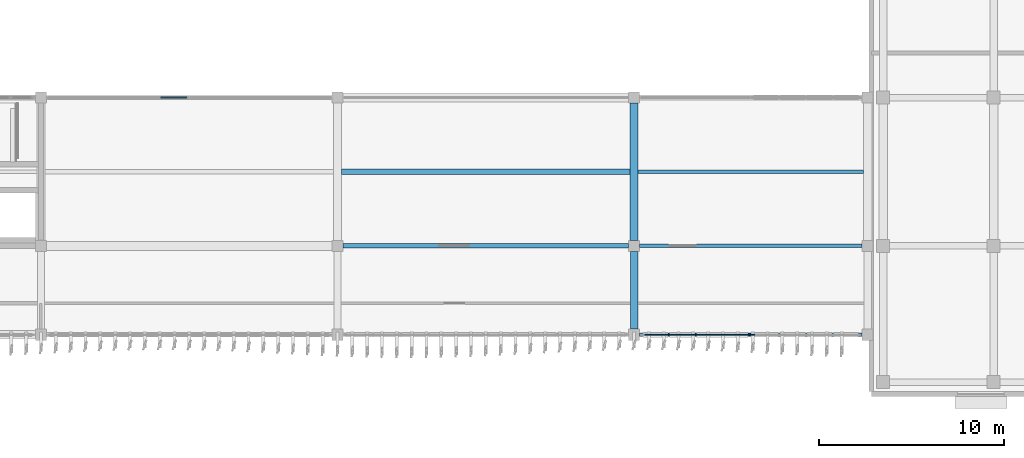
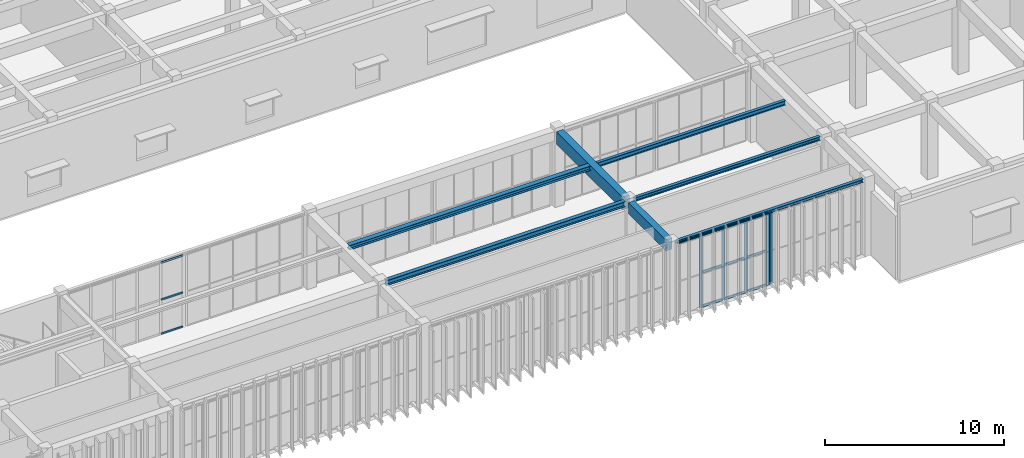
# One storey, part 17 of 64: 18 members, 7 beams, 3 elements without a shape of their own.
"""IFC4 building model written with IfcOpenShell, lengths in metres."""

from ifc_helpers import new_model, si_unit, direction, frame, origin, origin_2d, place, context, subcontext, project, spatial, rectangle, i_section, extrude, material, layer, layer_set, material_profile, profile_set, type_object, element, aggregate, save


model = new_model("IFC4")

# Units and contexts
model_context = context("Model", 3, precision=1e-05, world=origin(), true_north=direction((0.0, 1.0)))
body_context = subcontext(model_context, "Body", "Model", "MODEL_VIEW")
ifc_project = project(units=[si_unit("LENGTHUNIT", "METRE"), si_unit("AREAUNIT", "SQUARE_METRE"), si_unit("VOLUMEUNIT", "CUBIC_METRE"), si_unit("PLANEANGLEUNIT", "RADIAN"), si_unit("MASSUNIT", "GRAM", prefix="KILO")], contexts=[model_context])

# Site, building, storey
site_placement = place(None, origin())
site = spatial("IfcSite", under=ifc_project, at=site_placement, CompositionType="ELEMENT")
building_placement = place(site_placement, origin())
building = spatial("IfcBuilding", under=site, at=building_placement, Name="Cinchona Park Media Centre", CompositionType="ELEMENT")
storey_placement = place(building_placement, frame((0.0, 0.0, 10.199951171875)))
storey = spatial("IfcBuildingStorey", under=building, at=storey_placement, Name="L02", CompositionType="ELEMENT", Elevation=10.199951171875)

# Beams
ifc_material_1 = material(Name="Concrete C35/45", Category="concrete")
ifc_material_profile_1 = material_profile(ifc_material_1, rectangle(XDim=0.39990234375, YDim=0.75, at=origin_2d()), Name="RB 400X750")
ifc_profile_set_1 = profile_set([ifc_material_profile_1], Name="Concrete C35/45")
beam_type_1 = type_object("IfcBeamType", Name="BEAM-B01-RB400X750", PredefinedType="BEAM", material=ifc_profile_set_1)
beam_1_placement = place(storey_placement, frame((126.800048828125, 75.10009765625, 4.78515625), z_axis=(0.0, 1.0, 0.0), x_axis=(-1.0, 0.0, 0.0)))
element("IfcBeam", 1, at=beam_1_placement, inside=storey, type_object=beam_type_1, Name="Girder B01 L02", PredefinedType="BEAM", context=body_context, shape_type="SweptSolid", body=[
    extrude(rectangle(XDim=0.39990234375, YDim=0.75, at=origin_2d()), origin(), (0.0, 0.0, 1.0), 4.199951171875),
])
ifc_material_2 = material(Name="Concrete C35/45", Category="concrete")
ifc_material_profile_2 = material_profile(ifc_material_2, rectangle(XDim=0.449951171875, YDim=0.85009765625, at=origin_2d()), Name="RB 450X850")
ifc_profile_set_2 = profile_set([ifc_material_profile_2], Name="Concrete C35/45")
beam_type_2 = type_object("IfcBeamType", Name="BEAM-B02-RB450X850", PredefinedType="BEAM", material=ifc_profile_set_2)
beam_2_placement = place(storey_placement, frame((126.800048828125, 79.89990234375, 4.735107421875), z_axis=(0.0, 1.0, 0.0), x_axis=(-1.0, 0.0, 0.0)))
element("IfcBeam", 2, at=beam_2_placement, inside=storey, type_object=beam_type_2, Name="Girder B02 L02", PredefinedType="BEAM", context=body_context, shape_type="SweptSolid", body=[
    extrude(rectangle(XDim=0.449951171875, YDim=0.85009765625, at=origin_2d()), origin(), (0.0, 0.0, 1.0), 7.400146484375),
])
ifc_material_3 = material(Name="Steel S355", Category="steel")
ifc_material_profile_3 = material_profile(ifc_material_3, i_section(OverallWidth=0.257080078125, OverallDepth=0.363037109375, WebThickness=0.012939453125, FlangeThickness=0.021728515625, at=origin_2d()), Name="W360X122")
ifc_profile_set_3 = profile_set([ifc_material_profile_3], Name="Steel S355")
beam_type_3 = type_object("IfcBeamType", Name="BEAM-B08-W360X122", PredefinedType="BEAM", material=ifc_profile_set_3)
beam_3_placement = place(storey_placement, frame((111.10009765625, 79.60009765625, 4.978515625), z_axis=(1.0, 0.0, 0.0), x_axis=(0.0, 1.0, 0.0)))
element("IfcBeam", 3, at=beam_3_placement, inside=storey, type_object=beam_type_3, Name="Beam B08 L02", PredefinedType="BEAM", context=body_context, shape_type="SweptSolid", body=[
    extrude(i_section(OverallWidth=0.257080078125, OverallDepth=0.363037109375, WebThickness=0.012939453125, FlangeThickness=0.021728515625, at=origin_2d()), origin(), (0.0, 0.0, 1.0), 15.39990234375),
])
ifc_material_4 = material(Name="Steel S355", Category="steel")
ifc_material_profile_4 = material_profile(ifc_material_4, i_section(OverallWidth=0.202880859375, OverallDepth=0.251953125, WebThickness=0.008056640625, FlangeThickness=0.013427734375, at=origin_2d()), Name="W250X58")
ifc_profile_set_4 = profile_set([ifc_material_profile_4], Name="Steel S355")
beam_type_4 = type_object("IfcBeamType", Name="BEAM-B09-W250X58", PredefinedType="BEAM", material=ifc_profile_set_4)
beam_4_placement = place(storey_placement, frame((127.10009765625, 79.60009765625, 5.033935546875), z_axis=(1.0, 0.0, 0.0), x_axis=(0.0, 1.0, 0.0)))
element("IfcBeam", 4, at=beam_4_placement, inside=storey, type_object=beam_type_4, Name="Beam B09 L02", PredefinedType="BEAM", context=body_context, shape_type="SweptSolid", body=[
    extrude(i_section(OverallWidth=0.202880859375, OverallDepth=0.251953125, WebThickness=0.008056640625, FlangeThickness=0.013427734375, at=origin_2d()), origin(), (0.0, 0.0, 1.0), 12.0),
])
ifc_material_5 = material(Name="Steel S355", Category="steel")
ifc_material_profile_5 = material_profile(ifc_material_5, i_section(OverallWidth=0.202880859375, OverallDepth=0.202880859375, WebThickness=0.007080078125, FlangeThickness=0.010986328125, at=origin_2d()), Name="W200X46")
ifc_profile_set_5 = profile_set([ifc_material_profile_5], Name="Steel S355")
beam_type_5 = type_object("IfcBeamType", Name="BEAM-B10-W200X46", PredefinedType="BEAM", material=ifc_profile_set_5)
beam_5_placement = place(storey_placement, frame((127.10009765625, 74.800048828125, 5.05859375), z_axis=(1.0, 0.0, 0.0), x_axis=(0.0, 1.0, 0.0)))
element("IfcBeam", 5, at=beam_5_placement, inside=storey, type_object=beam_type_5, Name="Beam B10 L02", PredefinedType="BEAM", context=body_context, shape_type="SweptSolid", body=[
    extrude(i_section(OverallWidth=0.202880859375, OverallDepth=0.202880859375, WebThickness=0.007080078125, FlangeThickness=0.010986328125, at=origin_2d()), origin(), (0.0, 0.0, 1.0), 12.0),
])
ifc_material_6 = material(Name="Steel S355", Category="steel")
ifc_material_profile_6 = material_profile(ifc_material_6, i_section(OverallWidth=0.304931640625, OverallDepth=0.30810546875, WebThickness=0.010009765625, FlangeThickness=0.015380859375, at=origin_2d()), Name="W310X97")
ifc_profile_set_6 = profile_set([ifc_material_profile_6], Name="Steel S355")
beam_type_6 = type_object("IfcBeamType", Name="BEAM-J02-W310X97", PredefinedType="JOIST", material=ifc_profile_set_6)
beam_6_placement = place(storey_placement, frame((111.02490234375, 83.60009765625, 5.006103515625), z_axis=(1.0, 0.0, 0.0), x_axis=(0.0, 1.0, 0.0)))
element("IfcBeam", 6, at=beam_6_placement, inside=storey, type_object=beam_type_6, Name="Floor Joist J02 L02", PredefinedType="JOIST", context=body_context, shape_type="SweptSolid", body=[
    extrude(i_section(OverallWidth=0.304931640625, OverallDepth=0.30810546875, WebThickness=0.010009765625, FlangeThickness=0.015380859375, at=origin_2d()), origin(), (0.0, 0.0, 1.0), 15.550048828125),
])
ifc_material_7 = material(Name="Steel S355", Category="steel")
ifc_material_profile_7 = material_profile(ifc_material_7, i_section(OverallWidth=0.202880859375, OverallDepth=0.302978515625, WebThickness=0.007568359375, FlangeThickness=0.01318359375, at=origin_2d()), Name="W310X60")
ifc_profile_set_7 = profile_set([ifc_material_profile_7], Name="Steel S355")
beam_type_7 = type_object("IfcBeamType", Name="BEAM-J03-W310X60", PredefinedType="JOIST", material=ifc_profile_set_7)
beam_7_placement = place(storey_placement, frame((127.02490234375, 83.60009765625, 5.008544921875), z_axis=(1.0, 0.0, 0.0), x_axis=(0.0, 1.0, 0.0)))
element("IfcBeam", 7, at=beam_7_placement, inside=storey, type_object=beam_type_7, Name="Floor Joist J03 L02", PredefinedType="JOIST", context=body_context, shape_type="SweptSolid", body=[
    extrude(i_section(OverallWidth=0.202880859375, OverallDepth=0.302978515625, WebThickness=0.007568359375, FlangeThickness=0.01318359375, at=origin_2d()), origin(), (0.0, 0.0, 1.0), 12.150146484375),
])

# Curtain wall, member
ifc_material_8 = material(Name="Aluminium Curtain Wall Framing", Category="aluminium")
ifc_layer_1 = layer(ifc_material_8, 0.2548828125)
ifc_layer_set_1 = layer_set([ifc_layer_1], Name="Aluminium Curtain Wall Framing")
curtain_wall_type_1 = type_object("IfcCurtainWallType", Name="CW-CW06", PredefinedType="USERDEFINED", material=ifc_layer_set_1)
curtain_wall_1_placement = place(storey_placement, origin())
curtain_wall_1 = element("IfcCurtainWall", 8, at=curtain_wall_1_placement, inside=storey, type_object=curtain_wall_type_1, Name="Curtain Wall CW06 L02", ObjectType="UNITISED CURTAIN WALL", PredefinedType="USERDEFINED")
ifc_material_9 = material(Name="Anodised Aluminium Alloy 6063-T6", Category="aluminium")
ifc_material_profile_8 = material_profile(ifc_material_9, rectangle(XDim=0.074951171875, YDim=0.2099609375, at=origin_2d()), Name="MUL-75X210")
ifc_profile_set_8 = profile_set([ifc_material_profile_8], Name="Anodised Aluminium Alloy 6063-T6")
member_type_1 = type_object("IfcMemberType", Name="MULLION-MUL03", PredefinedType="MULLION", material=ifc_profile_set_8)
member_1_placement = place(storey_placement, frame((133.217529296875, 74.800048828125, 0.050048828125), z_axis=(0.0, 0.0, 1.0), x_axis=(0.0, -1.0, 0.0)))
member_1 = element("IfcMember", 9, at=member_1_placement, type_object=member_type_1, Name="CW06 mullion 5", PredefinedType="MULLION", context=body_context, shape_type="SweptSolid", body=[
    extrude(rectangle(XDim=0.074951171875, YDim=0.2099609375, at=origin_2d()), origin(), (0.0, 0.0, 1.0), 4.906982421875),
])
aggregate(curtain_wall_1, [member_1])

# Curtain wall, members
ifc_material_10 = material(Name="Aluminium Curtain Wall Framing", Category="aluminium")
ifc_layer_2 = layer(ifc_material_10, 0.27001953125)
ifc_layer_set_2 = layer_set([ifc_layer_2], Name="Aluminium Curtain Wall Framing")
curtain_wall_type_2 = type_object("IfcCurtainWallType", Name="CW-CW07", PredefinedType="USERDEFINED", material=ifc_layer_set_2)
curtain_wall_2_placement = place(storey_placement, origin())
curtain_wall_2 = element("IfcCurtainWall", 10, at=curtain_wall_2_placement, inside=storey, type_object=curtain_wall_type_2, Name="Curtain Wall CW07 L02", ObjectType="UNITISED CURTAIN WALL", PredefinedType="USERDEFINED")
member_2_placement = place(storey_placement, frame((132.982421875, 74.800048828125, 0.050048828125), z_axis=(0.0, 0.0, 1.0), x_axis=(0.0, -1.0, 0.0)))
member_2 = element("IfcMember", 11, at=member_2_placement, type_object=member_type_1, Name="CW07 mullion 1", PredefinedType="MULLION", context=body_context, shape_type="SweptSolid", body=[
    extrude(rectangle(XDim=0.074951171875, YDim=0.2099609375, at=origin_2d()), origin(), (0.0, 0.0, 1.0), 4.906982421875),
])
member_3_placement = place(storey_placement, frame((131.570068359375, 74.800048828125, 0.050048828125), z_axis=(0.0, 0.0, 1.0), x_axis=(0.0, -1.0, 0.0)))
member_3 = element("IfcMember", 12, at=member_3_placement, type_object=member_type_1, Name="CW07 mullion 2", PredefinedType="MULLION", context=body_context, shape_type="SweptSolid", body=[
    extrude(rectangle(XDim=0.074951171875, YDim=0.2099609375, at=origin_2d()), origin(), (0.0, 0.0, 1.0), 4.906982421875),
])
member_4_placement = place(storey_placement, frame((130.1201171875, 74.800048828125, 0.050048828125), z_axis=(0.0, 0.0, 1.0), x_axis=(0.0, -1.0, 0.0)))
member_4 = element("IfcMember", 13, at=member_4_placement, type_object=member_type_1, Name="CW07 mullion 3", PredefinedType="MULLION", context=body_context, shape_type="SweptSolid", body=[
    extrude(rectangle(XDim=0.074951171875, YDim=0.2099609375, at=origin_2d()), origin(), (0.0, 0.0, 1.0), 4.906982421875),
])
member_5_placement = place(storey_placement, frame((128.669921875, 74.800048828125, 0.050048828125), z_axis=(0.0, 0.0, 1.0), x_axis=(0.0, -1.0, 0.0)))
member_5 = element("IfcMember", 14, at=member_5_placement, type_object=member_type_1, Name="CW07 mullion 4", PredefinedType="MULLION", context=body_context, shape_type="SweptSolid", body=[
    extrude(rectangle(XDim=0.074951171875, YDim=0.2099609375, at=origin_2d()), origin(), (0.0, 0.0, 1.0), 4.906982421875),
])

curtain_wall_3_placement = place(storey_placement, origin())
curtain_wall_3 = element("IfcCurtainWall", 15, at=curtain_wall_3_placement, inside=storey, type_object=curtain_wall_type_2, Name="Curtain Wall CW07 L02", ObjectType="UNITISED CURTAIN WALL", PredefinedType="USERDEFINED")
ifc_material_11 = material(Name="Anodised Aluminium Alloy 6063-T6", Category="aluminium")
ifc_material_profile_9 = material_profile(ifc_material_11, rectangle(XDim=0.06494140625, YDim=0.1201171875, at=origin_2d()), Name="TRN-65X120")
ifc_profile_set_9 = profile_set([ifc_material_profile_9], Name="Anodised Aluminium Alloy 6063-T6")
member_type_2 = type_object("IfcMemberType", Name="TRANSOM-TRN01", PredefinedType="USERDEFINED", material=ifc_profile_set_9)
member_6_placement = place(storey_placement, frame((101.25244140625, 87.60009765625, 0.08251953125), z_axis=(1.0, 0.0, 0.0), x_axis=(0.0, 1.0, 0.0)))
member_6 = element("IfcMember", 16, at=member_6_placement, type_object=member_type_2, Name="CW07 transom 5.1", ObjectType="TRANSOM", PredefinedType="USERDEFINED", context=body_context, shape_type="SweptSolid", body=[
    extrude(rectangle(XDim=0.06494140625, YDim=0.1201171875, at=origin_2d()), origin(), (0.0, 0.0, 1.0), 1.402587890625),
])
member_7_placement = place(storey_placement, frame((101.25244140625, 87.60009765625, 2.405029296875), z_axis=(1.0, 0.0, 0.0), x_axis=(0.0, 1.0, 0.0)))
member_7 = element("IfcMember", 17, at=member_7_placement, type_object=member_type_2, Name="CW07 transom 5.2", ObjectType="TRANSOM", PredefinedType="USERDEFINED", context=body_context, shape_type="SweptSolid", body=[
    extrude(rectangle(XDim=0.06494140625, YDim=0.1201171875, at=origin_2d()), origin(), (0.0, 0.0, 1.0), 1.402587890625),
])
member_8_placement = place(storey_placement, frame((101.25244140625, 87.60009765625, 4.924560546875), z_axis=(1.0, 0.0, 0.0), x_axis=(0.0, 1.0, 0.0)))
member_8 = element("IfcMember", 18, at=member_8_placement, type_object=member_type_2, Name="CW07 transom 5.3", ObjectType="TRANSOM", PredefinedType="USERDEFINED", context=body_context, shape_type="SweptSolid", body=[
    extrude(rectangle(XDim=0.06494140625, YDim=0.1201171875, at=origin_2d()), origin(), (0.0, 0.0, 1.0), 1.402587890625),
])
aggregate(curtain_wall_3, [member_6, member_7, member_8])

# Member
ifc_material_12 = material(Name="Anodised Aluminium Alloy 6063-T6", Category="aluminium")
ifc_material_profile_10 = material_profile(ifc_material_12, rectangle(XDim=0.074951171875, YDim=0.159912109375, at=origin_2d()), Name="TRN-75X160")
ifc_profile_set_10 = profile_set([ifc_material_profile_10], Name="Anodised Aluminium Alloy 6063-T6")
member_type_3 = type_object("IfcMemberType", Name="TRANSOM-TRN03", PredefinedType="USERDEFINED", material=ifc_profile_set_10)
member_9_placement = place(storey_placement, frame((132.945068359375, 74.800048828125, 0.087646484375), z_axis=(-1.0, 0.0, 0.0), x_axis=(0.0, -1.0, 0.0)))
member_9 = element("IfcMember", 19, at=member_9_placement, type_object=member_type_3, Name="CW07 transom 1.1", ObjectType="TRANSOM", PredefinedType="USERDEFINED", context=body_context, shape_type="SweptSolid", body=[
    extrude(rectangle(XDim=0.074951171875, YDim=0.159912109375, at=origin_2d()), origin(), (0.0, 0.0, 1.0), 1.337646484375),
])

member_10_placement = place(storey_placement, frame((132.945068359375, 74.800048828125, 2.405029296875), z_axis=(-1.0, 0.0, 0.0), x_axis=(0.0, -1.0, 0.0)))
member_10 = element("IfcMember", 20, at=member_10_placement, type_object=member_type_3, Name="CW07 transom 1.2", ObjectType="TRANSOM", PredefinedType="USERDEFINED", context=body_context, shape_type="SweptSolid", body=[
    extrude(rectangle(XDim=0.074951171875, YDim=0.159912109375, at=origin_2d()), origin(), (0.0, 0.0, 1.0), 1.337646484375),
])

member_11_placement = place(storey_placement, frame((132.945068359375, 74.800048828125, 4.91943359375), z_axis=(-1.0, 0.0, 0.0), x_axis=(0.0, -1.0, 0.0)))
member_11 = element("IfcMember", 21, at=member_11_placement, type_object=member_type_3, Name="CW07 transom 1.3", ObjectType="TRANSOM", PredefinedType="USERDEFINED", context=body_context, shape_type="SweptSolid", body=[
    extrude(rectangle(XDim=0.074951171875, YDim=0.159912109375, at=origin_2d()), origin(), (0.0, 0.0, 1.0), 1.337646484375),
])

member_12_placement = place(storey_placement, frame((131.532470703125, 74.800048828125, 0.087646484375), z_axis=(-1.0, 0.0, 0.0), x_axis=(0.0, -1.0, 0.0)))
member_12 = element("IfcMember", 22, at=member_12_placement, type_object=member_type_3, Name="CW07 transom 2.1", ObjectType="TRANSOM", PredefinedType="USERDEFINED", context=body_context, shape_type="SweptSolid", body=[
    extrude(rectangle(XDim=0.074951171875, YDim=0.159912109375, at=origin_2d()), origin(), (0.0, 0.0, 1.0), 1.375),
])

member_13_placement = place(storey_placement, frame((131.532470703125, 74.800048828125, 2.405029296875), z_axis=(-1.0, 0.0, 0.0), x_axis=(0.0, -1.0, 0.0)))
member_13 = element("IfcMember", 23, at=member_13_placement, type_object=member_type_3, Name="CW07 transom 2.2", ObjectType="TRANSOM", PredefinedType="USERDEFINED", context=body_context, shape_type="SweptSolid", body=[
    extrude(rectangle(XDim=0.074951171875, YDim=0.159912109375, at=origin_2d()), origin(), (0.0, 0.0, 1.0), 1.375),
])

member_14_placement = place(storey_placement, frame((131.532470703125, 74.800048828125, 4.91943359375), z_axis=(-1.0, 0.0, 0.0), x_axis=(0.0, -1.0, 0.0)))
member_14 = element("IfcMember", 24, at=member_14_placement, type_object=member_type_3, Name="CW07 transom 2.3", ObjectType="TRANSOM", PredefinedType="USERDEFINED", context=body_context, shape_type="SweptSolid", body=[
    extrude(rectangle(XDim=0.074951171875, YDim=0.159912109375, at=origin_2d()), origin(), (0.0, 0.0, 1.0), 1.375),
])

member_15_placement = place(storey_placement, frame((130.08251953125, 74.800048828125, 0.087646484375), z_axis=(-1.0, 0.0, 0.0), x_axis=(0.0, -1.0, 0.0)))
member_15 = element("IfcMember", 25, at=member_15_placement, type_object=member_type_3, Name="CW07 transom 3.1", ObjectType="TRANSOM", PredefinedType="USERDEFINED", context=body_context, shape_type="SweptSolid", body=[
    extrude(rectangle(XDim=0.074951171875, YDim=0.159912109375, at=origin_2d()), origin(), (0.0, 0.0, 1.0), 1.375),
])

member_16_placement = place(storey_placement, frame((130.08251953125, 74.800048828125, 2.405029296875), z_axis=(-1.0, 0.0, 0.0), x_axis=(0.0, -1.0, 0.0)))
member_16 = element("IfcMember", 26, at=member_16_placement, type_object=member_type_3, Name="CW07 transom 3.2", ObjectType="TRANSOM", PredefinedType="USERDEFINED", context=body_context, shape_type="SweptSolid", body=[
    extrude(rectangle(XDim=0.074951171875, YDim=0.159912109375, at=origin_2d()), origin(), (0.0, 0.0, 1.0), 1.375),
])

member_17_placement = place(storey_placement, frame((130.08251953125, 74.800048828125, 4.91943359375), z_axis=(-1.0, 0.0, 0.0), x_axis=(0.0, -1.0, 0.0)))
member_17 = element("IfcMember", 27, at=member_17_placement, type_object=member_type_3, Name="CW07 transom 3.3", ObjectType="TRANSOM", PredefinedType="USERDEFINED", context=body_context, shape_type="SweptSolid", body=[
    extrude(rectangle(XDim=0.074951171875, YDim=0.159912109375, at=origin_2d()), origin(), (0.0, 0.0, 1.0), 1.375),
])

member_18_placement = place(storey_placement, frame((128.632568359375, 74.800048828125, 4.91943359375), z_axis=(-1.0, 0.0, 0.0), x_axis=(0.0, -1.0, 0.0)))
member_18 = element("IfcMember", 28, at=member_18_placement, type_object=member_type_3, Name="CW07 transom 4.3", ObjectType="TRANSOM", PredefinedType="USERDEFINED", context=body_context, shape_type="SweptSolid", body=[
    extrude(rectangle(XDim=0.074951171875, YDim=0.159912109375, at=origin_2d()), origin(), (0.0, 0.0, 1.0), 1.337646484375),
])

aggregate(curtain_wall_2, [member_2, member_3, member_4, member_5, member_9, member_10, member_11, member_12, member_13, member_14, member_15, member_16, member_17, member_18])

save(model, "model.ifc")
